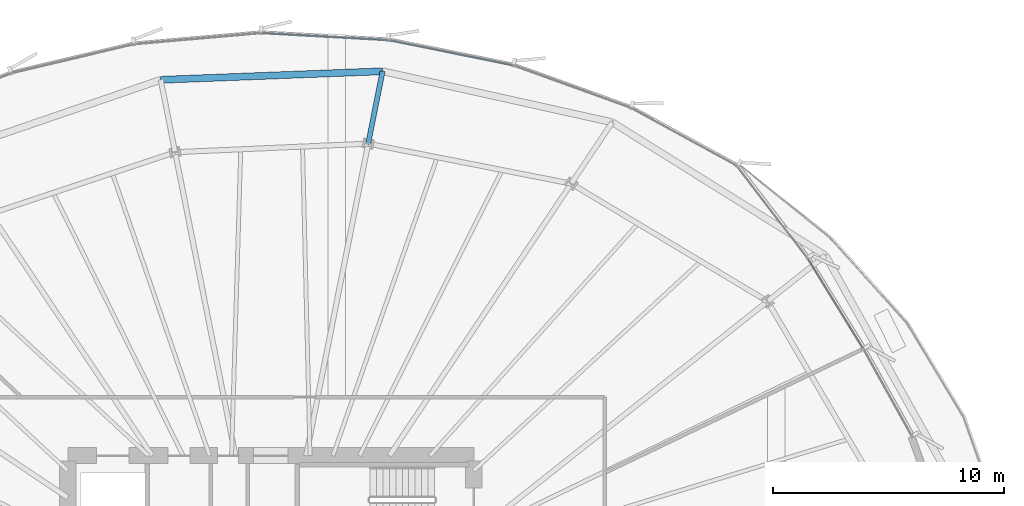
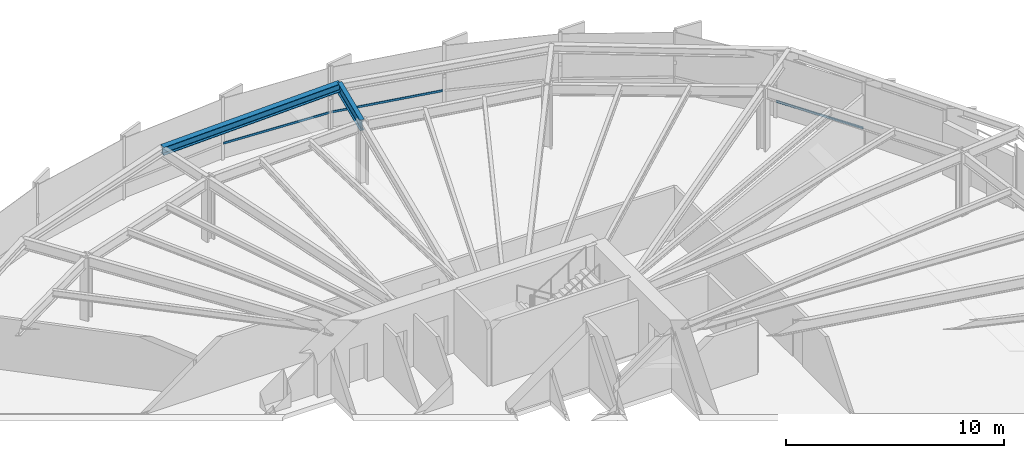
# One storey, part 28 of 39: 3 members, 2 beams, 2 elements without a shape of their own.
"""IFC4 building model written with IfcOpenShell, lengths in metres."""

from ifc_helpers import new_model, si_unit, direction, frame, origin, origin_2d, place, context, subcontext, project, spatial, hollow_rectangle, i_section, extrude, source, transform, mapped, material, layer, layer_set, material_profile, profile_set, type_object, element, aggregate, save


model = new_model("IFC4")

# Units and contexts
model_context = context("Model", 3, precision=1e-05, world=origin(), true_north=direction((0.0, 1.0)))
body_context = subcontext(model_context, "Body", "Model", "MODEL_VIEW")
ifc_project = project(units=[si_unit("LENGTHUNIT", "METRE"), si_unit("AREAUNIT", "SQUARE_METRE"), si_unit("VOLUMEUNIT", "CUBIC_METRE"), si_unit("PLANEANGLEUNIT", "RADIAN"), si_unit("MASSUNIT", "GRAM", prefix="KILO"), si_unit("THERMODYNAMICTEMPERATUREUNIT", "KELVIN")], contexts=[model_context])

# Site, building, storey
site_placement = place(None, origin())
site = spatial("IfcSite", under=ifc_project, at=site_placement, CompositionType="ELEMENT")
building_placement = place(site_placement, origin())
building = spatial("IfcBuilding", under=site, at=building_placement, Name="Kethvar Cultural Tower", CompositionType="ELEMENT")
storey_placement = place(building_placement, frame((0.0, 0.0, 33.39990234375)))
storey = spatial("IfcBuildingStorey", under=building, at=storey_placement, Name="L07", CompositionType="ELEMENT", Elevation=33.39990234375)

# Beams
ifc_material_1 = material(Name="Steel S355J2", Category="steel")
ifc_material_profile_1 = material_profile(ifc_material_1, i_section(OverallWidth=0.219970703125, OverallDepth=0.60009765625, WebThickness=0.011962890625, FlangeThickness=0.01904296875, FilletRadius=0.02392578125, at=origin_2d()), Name="Steel S355J2 — IPE600")
ifc_profile_set_1 = profile_set([ifc_material_profile_1], Name="Steel S355J2 — IPE600")
beam_type_1 = type_object("IfcBeamType", Name="BM-IPE600", PredefinedType="BEAM", material=ifc_profile_set_1)
shared_shape_1 = source(origin(), body_context, "Body", "SweptSolid", [
    extrude(i_section(OverallWidth=0.219970703125, OverallDepth=0.60009765625, WebThickness=0.011962890625, FlangeThickness=0.01904296875, FilletRadius=0.02392578125, at=origin_2d()), origin(), (0.0, 0.0, 1.0), 3.199951171875),
])
beam_1_placement = place(storey_placement, frame((51.022216796875, 49.02587890625, 3.248046875), z_axis=(0.195088965533, 0.980785550224, 0.0), x_axis=(-0.980785550224, 0.195088965533, 0.0)))
element("IfcBeam", 1, at=beam_1_placement, inside=storey, type_object=beam_type_1, Name="L07 Perimeter Cantilever Beam RC-04", PredefinedType="BEAM", context=body_context, shape_type="MappedRepresentation", body=[
    mapped(shared_shape_1, transform((0.0, 0.0, 0.0), scale=1.0)),
])
ifc_material_profile_2 = material_profile(ifc_material_1, i_section(OverallWidth=0.300048828125, OverallDepth=0.449951171875, WebThickness=0.013916015625, FlangeThickness=0.02587890625, FilletRadius=0.027099609375, at=origin_2d()), Name="Steel S355J2 — HEB450")
ifc_profile_set_2 = profile_set([ifc_material_profile_2], Name="Steel S355J2 — HEB450")
beam_type_2 = type_object("IfcBeamType", Name="BM-SP450", PredefinedType="SPANDREL", material=ifc_profile_set_2)
shared_shape_2 = source(origin(), body_context, "Body", "SweptSolid", [
    extrude(i_section(OverallWidth=0.300048828125, OverallDepth=0.449951171875, WebThickness=0.013916015625, FlangeThickness=0.02587890625, FilletRadius=0.027099609375, at=origin_2d()), origin(), (0.0, 0.0, 1.0), 9.62646484375),
])
beam_2_placement = place(storey_placement, frame((51.646484375, 52.164306640625, 3.322998046875), z_axis=(-0.999260612605, -0.038447732004, 0.0), x_axis=(0.038447732004, -0.999260612605, 0.0)))
element("IfcBeam", 2, at=beam_2_placement, inside=storey, type_object=beam_type_2, Name="L07 Perimeter Spandrel Beam SP-04", PredefinedType="SPANDREL", context=body_context, shape_type="MappedRepresentation", body=[
    mapped(shared_shape_2, transform((0.0, 0.0, 0.0), scale=1.0)),
])

# Curtain wall, members
ifc_material_2 = material(Name="Aluminium 6063-T6", Category="aluminium")
ifc_layer = layer(ifc_material_2, 0.179931640625, Name="Aluminium 6063-T6", Category="aluminium")
ifc_layer_set = layer_set([ifc_layer], Name="Aluminium 6063-T6 (180 mm)")
curtain_wall_type = type_object("IfcCurtainWallType", Name="CW-SYS-02-Z1", PredefinedType="NOTDEFINED", material=ifc_layer_set)
curtain_wall_1_placement = place(storey_placement, origin())
curtain_wall_1 = element("IfcCurtainWall", 3, at=curtain_wall_1_placement, inside=storey, type_object=curtain_wall_type, Name="L07 Curtain Wall Run 02", PredefinedType="NOTDEFINED")
ifc_material_profile_3 = material_profile(ifc_material_2, hollow_rectangle(XDim=0.054931640625, YDim=0.1201171875, WallThickness=0.00390625, at=origin_2d()), Name="Aluminium 6063-T6 — RHS120x55x4")
ifc_profile_set_3 = profile_set([ifc_material_profile_3], Name="Aluminium 6063-T6 — RHS120x55x4")
member_type = type_object("IfcMemberType", Name="CW-SYS-02-Z1-TRN", PredefinedType="USERDEFINED", material=ifc_profile_set_3)
shared_shape_3 = source(origin(), body_context, "Body", "SweptSolid", [
    extrude(hollow_rectangle(XDim=0.054931640625, YDim=0.1201171875, WallThickness=0.00390625, at=origin_2d()), origin(), (0.0, 0.0, 1.0), 4.54150390625),
])
member_1_placement = place(storey_placement, frame((72.4697265625, 40.173095703125, 0.9501953125), z_axis=(-0.524838070789, 0.85120209084, 0.0), x_axis=(-0.85120209084, -0.524838070789, 0.0)))
member_1 = element("IfcMember", 4, at=member_1_placement, type_object=member_type, Name="CW-L07-R02 Transom 2", ObjectType="TRANSOM", PredefinedType="USERDEFINED", context=body_context, shape_type="MappedRepresentation", body=[
    mapped(shared_shape_3, transform((0.0, 0.0, 0.0), scale=1.0)),
])
shared_shape_4 = source(origin(), body_context, "Body", "SweptSolid", [
    extrude(hollow_rectangle(XDim=0.054931640625, YDim=0.1201171875, WallThickness=0.00390625, at=origin_2d()), origin(), (0.0, 0.0, 1.0), 5.422607421875),
])
member_2_placement = place(storey_placement, frame((57.2734375, 52.425048828125, 0.9501953125), z_axis=(-0.980108588798, 0.198461971584, 0.0), x_axis=(-0.198461971584, -0.980108588798, 0.0)))
member_2 = element("IfcMember", 5, at=member_2_placement, type_object=member_type, Name="CW-L07-R02 Transom 6", ObjectType="TRANSOM", PredefinedType="USERDEFINED", context=body_context, shape_type="MappedRepresentation", body=[
    mapped(shared_shape_4, transform((0.0, 0.0, 0.0), scale=1.0)),
])
aggregate(curtain_wall_1, [member_1, member_2])

# Curtain wall, member
curtain_wall_2_placement = place(storey_placement, origin())
curtain_wall_2 = element("IfcCurtainWall", 6, at=curtain_wall_2_placement, inside=storey, type_object=curtain_wall_type, Name="L07 Curtain Wall Run 03", PredefinedType="NOTDEFINED")
shared_shape_5 = source(origin(), body_context, "Body", "SweptSolid", [
    extrude(hollow_rectangle(XDim=0.054931640625, YDim=0.1201171875, WallThickness=0.00390625, at=origin_2d()), origin(), (0.0, 0.0, 1.0), 5.46240234375),
])
member_3_placement = place(storey_placement, frame((51.88330078125, 53.5107421875, 0.9501953125), z_axis=(-0.998440624676, 0.055824000189, 0.0), x_axis=(-0.055824000189, -0.998440624676, 0.0)))
member_3 = element("IfcMember", 7, at=member_3_placement, type_object=member_type, Name="CW-L07-R03 Transom 1", ObjectType="TRANSOM", PredefinedType="USERDEFINED", context=body_context, shape_type="MappedRepresentation", body=[
    mapped(shared_shape_5, transform((0.0, 0.0, 0.0), scale=1.0)),
])
aggregate(curtain_wall_2, [member_3])

save(model, "model.ifc")
